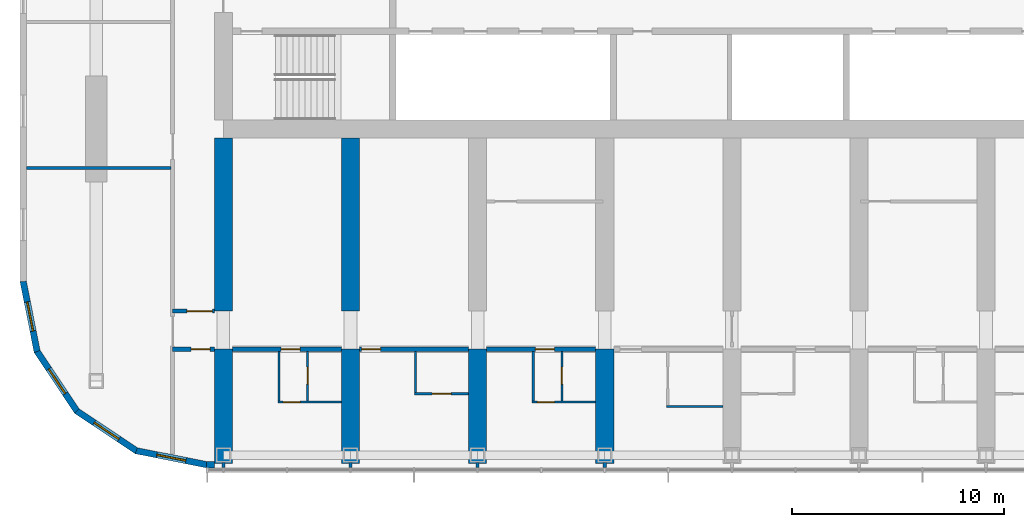
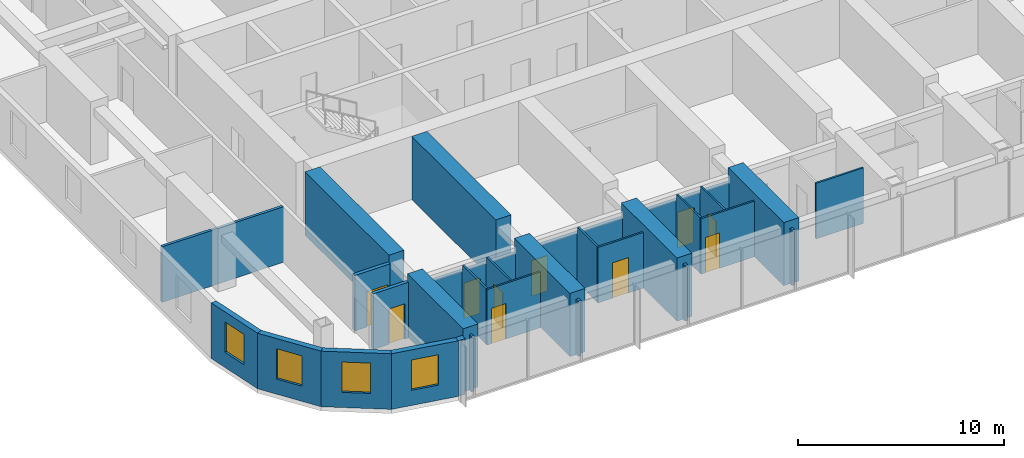
# One storey, part 10 of 22: 30 walls, 10 doors, 4 windows, 14 openings.
"""IFC4 building model written with IfcOpenShell, lengths in metres."""

from ifc_helpers import new_model, si_unit, direction, frame, frame_2d, origin, place, context, subcontext, project, spatial, polyline, rectangle, outline, extrude, material, layer, layer_set, type_object, element, fill, save


model = new_model("IFC4")

# Units and contexts
model_context = context("Model", 3, precision=1e-05, world=origin(), true_north=direction((0.0, 1.0)))
body_context = subcontext(model_context, "Body", "Model", "MODEL_VIEW")
ifc_project = project(units=[si_unit("LENGTHUNIT", "METRE"), si_unit("AREAUNIT", "SQUARE_METRE"), si_unit("VOLUMEUNIT", "CUBIC_METRE"), si_unit("PLANEANGLEUNIT", "RADIAN"), si_unit("MASSUNIT", "GRAM", prefix="KILO")], contexts=[model_context])

# Site, building, storey
site_placement = place(None, origin())
site = spatial("IfcSite", under=ifc_project, at=site_placement, CompositionType="ELEMENT")
building_placement = place(site_placement, origin())
building = spatial("IfcBuilding", under=site, at=building_placement, Name="Orbita Commons", CompositionType="ELEMENT")
storey_placement = place(building_placement, frame((0.0, 0.0, 159.85009765625)))
storey = spatial("IfcBuildingStorey", under=building, at=storey_placement, Name="L39", CompositionType="ELEMENT", Elevation=159.85009765625)

# Wall, opening, door
ifc_material_1 = material(Name="Concrete blockwork", Category="masonry")
ifc_layer_1 = layer(ifc_material_1, 0.199951171875)
ifc_layer_set_1 = layer_set([ifc_layer_1], Name="Concrete blockwork")
wall_type_1 = type_object("IfcWallType", Name="Corridor wall 200 blockwork", PredefinedType="SOLIDWALL", material=ifc_layer_set_1)
wall_1_placement = place(storey_placement, frame((15.60009765625, 15.39990234375, 0.0), z_axis=(0.0, 0.0, 1.0), x_axis=(1.0, 0.0, 0.0)))
wall_1 = element("IfcWall", 1, at=wall_1_placement, inside=storey, type_object=wall_type_1, Name="Corridor wall 200 blockwork L39", PredefinedType="SOLIDWALL", context=body_context, shape_type="SweptSolid", body=[
    extrude(rectangle(XDim=1.974853515625, YDim=0.199951171875, at=frame_2d((0.9873046875, 0.0))), origin(), (0.0, 0.0, 1.0), 3.2998046875),
])
opening_1_placement = place(wall_1_placement, frame((0.875, 0.0, 0.0)))
opening_1 = element("IfcOpeningElement", 2, at=opening_1_placement, cuts=wall_1, Name="Opening D05", PredefinedType="OPENING", context=body_context, shape_type="SweptSolid", body=[
    extrude(rectangle(XDim=0.89990234375, YDim=2.10009765625, at=frame_2d((0.449951171875, 1.050048828125))), frame((0.0, 0.10986328125, 0.0), z_axis=(0.0, -1.0, 0.0), x_axis=(1.0, 0.0, 0.0)), (0.0, 0.0, 1.0), 0.219970703125),
])
ifc_material_2 = material(Name="Steel-faced fire door leaf", Category="steel")
door_type_1 = type_object("IfcDoorType", Name="Service door 20 min 900x2100", OperationType="SINGLE_SWING_LEFT", PredefinedType="DOOR", material=ifc_material_2)
door_1_placement = place(opening_1_placement, origin())
door_1 = element("IfcDoor", 3, at=door_1_placement, inside=storey, type_object=door_type_1, Name="Linen store L39-KWS door", OperationType="SINGLE_SWING_LEFT", OverallHeight=2.10009765625, OverallWidth=0.89990234375, PredefinedType="DOOR", context=body_context, shape_type="SweptSolid", body=[
    extrude(rectangle(XDim=0.89990234375, YDim=2.10009765625, at=frame_2d((0.449951171875, 1.050048828125))), frame((0.0, 0.02490234375, 0.0), z_axis=(0.0, -1.0, 0.0), x_axis=(1.0, 0.0, 0.0)), (0.0, 0.0, 1.0), 0.050048828125),
])
fill(opening_1, door_1)

wall_2_placement = place(storey_placement, frame((18.425048828125, 15.39990234375, 0.0), z_axis=(0.0, 0.0, 1.0), x_axis=(1.0, 0.0, 0.0)))
wall_2 = element("IfcWall", 4, at=wall_2_placement, inside=storey, type_object=wall_type_1, Name="Corridor wall 200 blockwork L39", PredefinedType="SOLIDWALL", context=body_context, shape_type="SweptSolid", body=[
    extrude(outline(polyline([(0.0, 0.0), (5.14990234375, 0.0), (5.14990234375, 2.89990234375), (0.0, 2.89990234375), (0.0, 0.0)])), frame((0.0, 0.10009765625, 0.0), z_axis=(0.0, -1.0, 0.0), x_axis=(1.0, 0.0, 0.0)), (0.0, 0.0, 1.0), 0.199951171875),
])
opening_2_placement = place(wall_2_placement, frame((2.300048828125, 0.0, 0.0)))
opening_2 = element("IfcOpeningElement", 5, at=opening_2_placement, cuts=wall_2, Name="Opening D11", PredefinedType="OPENING", context=body_context, shape_type="SweptSolid", body=[
    extrude(rectangle(XDim=0.89990234375, YDim=2.10009765625, at=frame_2d((0.449951171875, 1.050048828125))), frame((0.0, 0.10986328125, 0.0), z_axis=(0.0, -1.0, 0.0), x_axis=(1.0, 0.0, 0.0)), (0.0, 0.0, 1.0), 0.219970703125),
])
ifc_material_3 = material(Name="Steel-faced fire door leaf", Category="steel")
door_type_2 = type_object("IfcDoorType", Name="Corridor door 20 min 900x2100", OperationType="SINGLE_SWING_LEFT", PredefinedType="DOOR", material=ifc_material_3)
door_2_placement = place(opening_2_placement, origin())
door_2 = element("IfcDoor", 6, at=door_2_placement, inside=storey, type_object=door_type_2, Name="Studio flat L39-S00 entrance door", OperationType="SINGLE_SWING_LEFT", OverallHeight=2.10009765625, OverallWidth=0.89990234375, PredefinedType="DOOR", context=body_context, shape_type="SweptSolid", body=[
    extrude(rectangle(XDim=0.89990234375, YDim=2.10009765625, at=frame_2d((0.449951171875, 1.050048828125))), frame((0.0, 0.02490234375, 0.0), z_axis=(0.0, -1.0, 0.0), x_axis=(1.0, 0.0, 0.0)), (0.0, 0.0, 1.0), 0.050048828125),
])
fill(opening_2, door_2)

wall_3_placement = place(storey_placement, frame((24.425048828125, 15.39990234375, 0.0), z_axis=(0.0, 0.0, 1.0), x_axis=(1.0, 0.0, 0.0)))
wall_3 = element("IfcWall", 7, at=wall_3_placement, inside=storey, type_object=wall_type_1, Name="Corridor wall 200 blockwork L39", PredefinedType="SOLIDWALL", context=body_context, shape_type="SweptSolid", body=[
    extrude(outline(polyline([(0.0, 0.0), (5.14990234375, 0.0), (5.14990234375, 2.89990234375), (0.0, 2.89990234375), (0.0, 0.0)])), frame((0.0, 0.10009765625, 0.0), z_axis=(0.0, -1.0, 0.0), x_axis=(1.0, 0.0, 0.0)), (0.0, 0.0, 1.0), 0.199951171875),
])
opening_3_placement = place(wall_3_placement, frame((0.10009765625, 0.0, 0.0)))
opening_3 = element("IfcOpeningElement", 8, at=opening_3_placement, cuts=wall_3, Name="Opening D11", PredefinedType="OPENING", context=body_context, shape_type="SweptSolid", body=[
    extrude(rectangle(XDim=0.89990234375, YDim=2.10009765625, at=frame_2d((0.449951171875, 1.050048828125))), frame((0.0, 0.10986328125, 0.0), z_axis=(0.0, -1.0, 0.0), x_axis=(1.0, 0.0, 0.0)), (0.0, 0.0, 1.0), 0.219970703125),
])
door_3_placement = place(opening_3_placement, origin())
door_3 = element("IfcDoor", 9, at=door_3_placement, inside=storey, type_object=door_type_2, Name="Twin room L39-S02 door", OperationType="SINGLE_SWING_LEFT", OverallHeight=2.10009765625, OverallWidth=0.89990234375, PredefinedType="DOOR", context=body_context, shape_type="SweptSolid", body=[
    extrude(rectangle(XDim=0.89990234375, YDim=2.10009765625, at=frame_2d((0.449951171875, 1.050048828125))), frame((0.0, 0.02490234375, 0.0), z_axis=(0.0, -1.0, 0.0), x_axis=(1.0, 0.0, 0.0)), (0.0, 0.0, 1.0), 0.050048828125),
])
fill(opening_3, door_3)

wall_4_placement = place(storey_placement, frame((30.425048828125, 15.39990234375, 0.0), z_axis=(0.0, 0.0, 1.0), x_axis=(1.0, 0.0, 0.0)))
wall_4 = element("IfcWall", 10, at=wall_4_placement, inside=storey, type_object=wall_type_1, Name="Corridor wall 200 blockwork L39", PredefinedType="SOLIDWALL", context=body_context, shape_type="SweptSolid", body=[
    extrude(outline(polyline([(0.0, 0.0), (5.14990234375, 0.0), (5.14990234375, 2.89990234375), (0.0, 2.89990234375), (0.0, 0.0)])), frame((0.0, 0.10009765625, 0.0), z_axis=(0.0, -1.0, 0.0), x_axis=(1.0, 0.0, 0.0)), (0.0, 0.0, 1.0), 0.199951171875),
])
opening_4_placement = place(wall_4_placement, frame((2.300048828125, 0.0, 0.0)))
opening_4 = element("IfcOpeningElement", 11, at=opening_4_placement, cuts=wall_4, Name="Opening D11", PredefinedType="OPENING", context=body_context, shape_type="SweptSolid", body=[
    extrude(rectangle(XDim=0.89990234375, YDim=2.10009765625, at=frame_2d((0.449951171875, 1.050048828125))), frame((0.0, 0.10986328125, 0.0), z_axis=(0.0, -1.0, 0.0), x_axis=(1.0, 0.0, 0.0)), (0.0, 0.0, 1.0), 0.219970703125),
])
door_4_placement = place(opening_4_placement, origin())
door_4 = element("IfcDoor", 12, at=door_4_placement, inside=storey, type_object=door_type_2, Name="Studio flat L39-S04 entrance door", OperationType="SINGLE_SWING_LEFT", OverallHeight=2.10009765625, OverallWidth=0.89990234375, PredefinedType="DOOR", context=body_context, shape_type="SweptSolid", body=[
    extrude(rectangle(XDim=0.89990234375, YDim=2.10009765625, at=frame_2d((0.449951171875, 1.050048828125))), frame((0.0, 0.02490234375, 0.0), z_axis=(0.0, -1.0, 0.0), x_axis=(1.0, 0.0, 0.0)), (0.0, 0.0, 1.0), 0.050048828125),
])
fill(opening_4, door_4)

ifc_material_4 = material(Name="Hollow concrete block 200", Category="concrete")
ifc_layer_2 = layer(ifc_material_4, 0.199951171875)
ifc_layer_set_2 = layer_set([ifc_layer_2], Name="Hollow concrete block 200")
wall_type_2 = type_object("IfcWallType", Name="Corridor wall 200 hollow concrete block", PredefinedType="SOLIDWALL", material=ifc_layer_set_2)
wall_5_placement = place(storey_placement, frame((15.60009765625, 17.199951171875, 0.0), z_axis=(0.0, 0.0, 1.0), x_axis=(1.0, 0.0, 0.0)))
wall_5 = element("IfcWall", 13, at=wall_5_placement, inside=storey, type_object=wall_type_2, Name="Corridor wall 200 hollow concrete block L39", PredefinedType="SOLIDWALL", context=body_context, shape_type="SweptSolid", body=[
    extrude(rectangle(XDim=1.974853515625, YDim=0.199951171875, at=frame_2d((0.9873046875, 0.0))), origin(), (0.0, 0.0, 1.0), 3.2998046875),
])
opening_5_placement = place(wall_5_placement, frame((0.675048828125, 0.0, 0.0)))
opening_5 = element("IfcOpeningElement", 14, at=opening_5_placement, cuts=wall_5, Name="Opening D12", PredefinedType="OPENING", context=body_context, shape_type="SweptSolid", body=[
    extrude(rectangle(XDim=1.199951171875, YDim=2.10009765625, at=frame_2d((0.60009765625, 1.050048828125))), frame((0.0, 0.10986328125, 0.0), z_axis=(0.0, -1.0, 0.0), x_axis=(1.0, 0.0, 0.0)), (0.0, 0.0, 1.0), 0.219970703125),
])
ifc_material_5 = material(Name="Steel-faced fire door leaf", Category="steel")
door_type_3 = type_object("IfcDoorType", Name="Double corridor door 20 min 1200x2100", OperationType="DOUBLE_DOOR_SINGLE_SWING", PredefinedType="DOOR", material=ifc_material_5)
door_5_placement = place(opening_5_placement, origin())
door_5 = element("IfcDoor", 15, at=door_5_placement, inside=storey, type_object=door_type_3, Name="Cross corridor doors", OperationType="DOUBLE_DOOR_SINGLE_SWING", OverallHeight=2.10009765625, OverallWidth=1.199951171875, PredefinedType="DOOR", context=body_context, shape_type="SweptSolid", body=[
    extrude(rectangle(XDim=1.199951171875, YDim=2.10009765625, at=frame_2d((0.60009765625, 1.050048828125))), frame((0.0, 0.02490234375, 0.0), z_axis=(0.0, -1.0, 0.0), x_axis=(1.0, 0.0, 0.0)), (0.0, 0.0, 1.0), 0.050048828125),
])
fill(opening_5, door_5)

# Walls
ifc_material_6 = material(Name="Concrete C50/60", Category="concrete")
ifc_layer_3 = layer(ifc_material_6, 0.85009765625)
ifc_layer_set_3 = layer_set([ifc_layer_3], Name="Concrete C50/60")
wall_type_3 = type_object("IfcWallType", Name="Cross wall 850 C50/60", PredefinedType="SHEAR", material=ifc_layer_set_3)
wall_6_placement = place(storey_placement, frame((18.0, 10.0, 0.0), z_axis=(0.0, 0.0, 1.0), x_axis=(0.0, 1.0, 0.0)))
element("IfcWall", 16, at=wall_6_placement, inside=storey, type_object=wall_type_3, Name="Cross wall 4 south outer L39", PredefinedType="SHEAR", context=body_context, shape_type="SweptSolid", body=[
    extrude(rectangle(XDim=5.39990234375, YDim=0.85009765625, at=frame_2d((2.699951171875, 0.0))), origin(), (0.0, 0.0, 1.0), 3.75),
])
wall_7_placement = place(storey_placement, frame((18.0, 17.199951171875, 0.0), z_axis=(0.0, 0.0, 1.0), x_axis=(0.0, 1.0, 0.0)))
element("IfcWall", 17, at=wall_7_placement, inside=storey, type_object=wall_type_3, Name="Cross wall 4 south inner L39", PredefinedType="SHEAR", context=body_context, shape_type="SweptSolid", body=[
    extrude(rectangle(XDim=8.175048828125, YDim=0.85009765625, at=frame_2d((4.08740234375, 0.0))), origin(), (0.0, 0.0, 1.0), 3.75),
])
wall_8_placement = place(storey_placement, frame((24.0, 10.0, 0.0), z_axis=(0.0, 0.0, 1.0), x_axis=(0.0, 1.0, 0.0)))
element("IfcWall", 18, at=wall_8_placement, inside=storey, type_object=wall_type_3, Name="Cross wall 5 south outer L39", PredefinedType="SHEAR", context=body_context, shape_type="SweptSolid", body=[
    extrude(rectangle(XDim=5.39990234375, YDim=0.85009765625, at=frame_2d((2.699951171875, 0.0))), origin(), (0.0, 0.0, 1.0), 3.75),
])
wall_9_placement = place(storey_placement, frame((24.0, 17.199951171875, 0.0), z_axis=(0.0, 0.0, 1.0), x_axis=(0.0, 1.0, 0.0)))
element("IfcWall", 19, at=wall_9_placement, inside=storey, type_object=wall_type_3, Name="Cross wall 5 south inner L39", PredefinedType="SHEAR", context=body_context, shape_type="SweptSolid", body=[
    extrude(rectangle(XDim=8.175048828125, YDim=0.85009765625, at=frame_2d((4.08740234375, 0.0))), origin(), (0.0, 0.0, 1.0), 3.75),
])
for number, where, z_axis, x_axis, name in (
    (20, (30.0, 10.0, 0.0), (0.0, 0.0, 1.0), (0.0, 1.0, 0.0), "Cross wall 6 south outer L39"),
    (21, (36.0, 10.0, 0.0), (0.0, 0.0, 1.0), (0.0, 1.0, 0.0), "Cross wall 7 south outer L39"),
):
    element("IfcWall", number, at=place(storey_placement, frame(where, z_axis=z_axis, x_axis=x_axis)), inside=storey, type_object=wall_type_3, Name=name, PredefinedType="SHEAR", context=body_context, shape_type="SweptSolid", body=[
        extrude(rectangle(XDim=5.39990234375, YDim=0.85009765625, at=frame_2d((2.699951171875, 0.0))), origin(), (0.0, 0.0, 1.0), 3.75),
    ])

# Wall, opening, door
ifc_material_7 = material(Name="Moisture-resistant plasterboard on steel studs", Category="steel")
ifc_layer_4 = layer(ifc_material_7, 0.10009765625)
ifc_layer_set_4 = layer_set([ifc_layer_4], Name="Moisture-resistant plasterboard on steel studs")
wall_type_4 = type_object("IfcWallType", Name="En-suite partition 100", PredefinedType="PARTITIONING", material=ifc_layer_set_4)
wall_10_placement = place(storey_placement, frame((23.574951171875, 12.89990234375, 0.0), z_axis=(0.0, 0.0, 1.0), x_axis=(-1.0, 0.0, 0.0)))
wall_10 = element("IfcWall", 22, at=wall_10_placement, inside=storey, type_object=wall_type_4, Name="En-suite partition 100 L39", PredefinedType="PARTITIONING", context=body_context, shape_type="SweptSolid", body=[
    extrude(rectangle(XDim=3.0, YDim=0.10009765625, at=frame_2d((1.5, 0.0))), origin(), (0.0, 0.0, 1.0), 3.2998046875),
])
opening_6_placement = place(wall_10_placement, frame((1.949951171875, 0.0, 0.0)))
opening_6 = element("IfcOpeningElement", 23, at=opening_6_placement, cuts=wall_10, Name="Opening D16", PredefinedType="OPENING", context=body_context, shape_type="SweptSolid", body=[
    extrude(rectangle(XDim=0.800048828125, YDim=2.10009765625, at=frame_2d((0.39990234375, 1.050048828125))), frame((0.0, 0.06005859375, 0.0), z_axis=(0.0, -1.0, 0.0), x_axis=(1.0, 0.0, 0.0)), (0.0, 0.0, 1.0), 0.1201171875),
])
ifc_material_8 = material(Name="Laminated timber door leaf", Category="wood")
door_type_4 = type_object("IfcDoorType", Name="En-suite door 800x2100", OperationType="SINGLE_SWING_RIGHT", PredefinedType="DOOR", material=ifc_material_8)
door_6_placement = place(opening_6_placement, origin())
door_6 = element("IfcDoor", 24, at=door_6_placement, inside=storey, type_object=door_type_4, Name="Studio flat L39-S00 door", OperationType="SINGLE_SWING_RIGHT", OverallHeight=2.10009765625, OverallWidth=0.800048828125, PredefinedType="DOOR", context=body_context, shape_type="SweptSolid", body=[
    extrude(rectangle(XDim=0.800048828125, YDim=2.10009765625, at=frame_2d((0.39990234375, 1.050048828125))), frame((0.0, 0.02490234375, 0.0), z_axis=(0.0, -1.0, 0.0), x_axis=(1.0, 0.0, 0.0)), (0.0, 0.0, 1.0), 0.050048828125),
])
fill(opening_6, door_6)

# Wall
wall_11_placement = place(storey_placement, frame((20.625, 12.949951171875, 0.0), z_axis=(0.0, 0.0, 1.0), x_axis=(0.0, 1.0, 0.0)))
element("IfcWall", 25, at=wall_11_placement, inside=storey, type_object=wall_type_4, Name="En-suite partition 100 L39", PredefinedType="PARTITIONING", context=body_context, shape_type="SweptSolid", body=[
    extrude(outline(polyline([(0.0, 0.0), (2.35009765625, 0.0), (2.35009765625, 2.89990234375), (2.302001953125, 2.89990234375), (2.300048828125, 3.2998046875), (0.0, 3.2998046875), (0.0, 0.0)])), frame((0.0, 0.050048828125, 0.0), z_axis=(0.0, -1.0, 0.0), x_axis=(1.0, 0.0, 0.0)), (0.0, 0.0, 1.0), 0.10009765625),
])

# Wall, opening, door
wall_12_placement = place(storey_placement, frame((21.97509765625, 12.949951171875, 0.0), z_axis=(0.0, 0.0, 1.0), x_axis=(0.0, 1.0, 0.0)))
wall_12 = element("IfcWall", 26, at=wall_12_placement, inside=storey, type_object=wall_type_4, Name="En-suite partition 100 L39", PredefinedType="PARTITIONING", context=body_context, shape_type="SweptSolid", body=[
    extrude(outline(polyline([(0.0, 0.0), (2.35009765625, 0.0), (2.35009765625, 2.89990234375), (2.302001953125, 2.89990234375), (2.300048828125, 3.2998046875), (0.0, 3.2998046875), (0.0, 0.0)])), frame((0.0, 0.050048828125, 0.0), z_axis=(0.0, -1.0, 0.0), x_axis=(1.0, 0.0, 0.0)), (0.0, 0.0, 1.0), 0.10009765625),
])
opening_7_placement = place(wall_12_placement, frame((0.800048828125, 0.0, 0.0)))
opening_7 = element("IfcOpeningElement", 27, at=opening_7_placement, cuts=wall_12, Name="Opening D16", PredefinedType="OPENING", context=body_context, shape_type="SweptSolid", body=[
    extrude(rectangle(XDim=0.800048828125, YDim=2.10009765625, at=frame_2d((0.39990234375, 1.050048828125))), frame((0.0, 0.06005859375, 0.0), z_axis=(0.0, -1.0, 0.0), x_axis=(1.0, 0.0, 0.0)), (0.0, 0.0, 1.0), 0.1201171875),
])
door_7_placement = place(opening_7_placement, origin())
door_7 = element("IfcDoor", 28, at=door_7_placement, inside=storey, type_object=door_type_4, Name="Studio flat shower room L39-S00 door", OperationType="SINGLE_SWING_RIGHT", OverallHeight=2.10009765625, OverallWidth=0.800048828125, PredefinedType="DOOR", context=body_context, shape_type="SweptSolid", body=[
    extrude(rectangle(XDim=0.800048828125, YDim=2.10009765625, at=frame_2d((0.39990234375, 1.050048828125))), frame((0.0, 0.02490234375, 0.0), z_axis=(0.0, -1.0, 0.0), x_axis=(1.0, 0.0, 0.0)), (0.0, 0.0, 1.0), 0.050048828125),
])
fill(opening_7, door_7)

wall_13_placement = place(storey_placement, frame((29.574951171875, 13.300048828125, 0.0), z_axis=(0.0, 0.0, 1.0), x_axis=(-1.0, 0.0, 0.0)))
wall_13 = element("IfcWall", 29, at=wall_13_placement, inside=storey, type_object=wall_type_4, Name="En-suite partition 100 L39", PredefinedType="PARTITIONING", context=body_context, shape_type="SweptSolid", body=[
    extrude(rectangle(XDim=2.550048828125, YDim=0.10009765625, at=frame_2d((1.27490234375, 0.0))), origin(), (0.0, 0.0, 1.0), 3.2998046875),
])
opening_8_placement = place(wall_13_placement, frame((0.824951171875, 0.0, 0.0)))
opening_8 = element("IfcOpeningElement", 30, at=opening_8_placement, cuts=wall_13, Name="Opening D09", PredefinedType="OPENING", context=body_context, shape_type="SweptSolid", body=[
    extrude(rectangle(XDim=0.89990234375, YDim=2.10009765625, at=frame_2d((0.449951171875, 1.050048828125))), frame((0.0, 0.06005859375, 0.0), z_axis=(0.0, -1.0, 0.0), x_axis=(1.0, 0.0, 0.0)), (0.0, 0.0, 1.0), 0.1201171875),
])
ifc_material_9 = material(Name="Laminated timber door leaf", Category="wood")
door_type_5 = type_object("IfcDoorType", Name="En-suite door 900x2100", OperationType="SINGLE_SWING_RIGHT", PredefinedType="DOOR", material=ifc_material_9)
door_8_placement = place(opening_8_placement, origin())
door_8 = element("IfcDoor", 31, at=door_8_placement, inside=storey, type_object=door_type_5, Name="En-suite L39-S02 door", OperationType="SINGLE_SWING_RIGHT", OverallHeight=2.10009765625, OverallWidth=0.89990234375, PredefinedType="DOOR", context=body_context, shape_type="SweptSolid", body=[
    extrude(rectangle(XDim=0.89990234375, YDim=2.10009765625, at=frame_2d((0.449951171875, 1.050048828125))), frame((0.0, 0.02490234375, 0.0), z_axis=(0.0, -1.0, 0.0), x_axis=(1.0, 0.0, 0.0)), (0.0, 0.0, 1.0), 0.050048828125),
])
fill(opening_8, door_8)

# Wall
wall_14_placement = place(storey_placement, frame((27.074951171875, 13.35009765625, 0.0), z_axis=(0.0, 0.0, 1.0), x_axis=(0.0, 1.0, 0.0)))
element("IfcWall", 32, at=wall_14_placement, inside=storey, type_object=wall_type_4, Name="En-suite partition 100 L39", PredefinedType="PARTITIONING", context=body_context, shape_type="SweptSolid", body=[
    extrude(outline(polyline([(0.0, 0.0), (1.949951171875, 0.0), (1.949951171875, 2.89990234375), (1.902099609375, 2.89990234375), (1.89990234375, 3.2998046875), (0.0, 3.2998046875), (0.0, 0.0)])), frame((0.0, 0.050048828125, 0.0), z_axis=(0.0, -1.0, 0.0), x_axis=(1.0, 0.0, 0.0)), (0.0, 0.0, 1.0), 0.10009765625),
])

# Wall, opening, door
wall_15_placement = place(storey_placement, frame((35.574951171875, 12.89990234375, 0.0), z_axis=(0.0, 0.0, 1.0), x_axis=(-1.0, 0.0, 0.0)))
wall_15 = element("IfcWall", 33, at=wall_15_placement, inside=storey, type_object=wall_type_4, Name="En-suite partition 100 L39", PredefinedType="PARTITIONING", context=body_context, shape_type="SweptSolid", body=[
    extrude(rectangle(XDim=3.0, YDim=0.10009765625, at=frame_2d((1.5, 0.0))), origin(), (0.0, 0.0, 1.0), 3.2998046875),
])
opening_9_placement = place(wall_15_placement, frame((1.949951171875, 0.0, 0.0)))
opening_9 = element("IfcOpeningElement", 34, at=opening_9_placement, cuts=wall_15, Name="Opening D16", PredefinedType="OPENING", context=body_context, shape_type="SweptSolid", body=[
    extrude(rectangle(XDim=0.800048828125, YDim=2.10009765625, at=frame_2d((0.39990234375, 1.050048828125))), frame((0.0, 0.06005859375, 0.0), z_axis=(0.0, -1.0, 0.0), x_axis=(1.0, 0.0, 0.0)), (0.0, 0.0, 1.0), 0.1201171875),
])
door_9_placement = place(opening_9_placement, origin())
door_9 = element("IfcDoor", 35, at=door_9_placement, inside=storey, type_object=door_type_4, Name="Studio flat L39-S04 door", OperationType="SINGLE_SWING_RIGHT", OverallHeight=2.10009765625, OverallWidth=0.800048828125, PredefinedType="DOOR", context=body_context, shape_type="SweptSolid", body=[
    extrude(rectangle(XDim=0.800048828125, YDim=2.10009765625, at=frame_2d((0.39990234375, 1.050048828125))), frame((0.0, 0.02490234375, 0.0), z_axis=(0.0, -1.0, 0.0), x_axis=(1.0, 0.0, 0.0)), (0.0, 0.0, 1.0), 0.050048828125),
])
fill(opening_9, door_9)

# Wall
wall_16_placement = place(storey_placement, frame((32.625, 12.949951171875, 0.0), z_axis=(0.0, 0.0, 1.0), x_axis=(0.0, 1.0, 0.0)))
element("IfcWall", 36, at=wall_16_placement, inside=storey, type_object=wall_type_4, Name="En-suite partition 100 L39", PredefinedType="PARTITIONING", context=body_context, shape_type="SweptSolid", body=[
    extrude(outline(polyline([(0.0, 0.0), (2.35009765625, 0.0), (2.35009765625, 2.89990234375), (2.302001953125, 2.89990234375), (2.300048828125, 3.2998046875), (0.0, 3.2998046875), (0.0, 0.0)])), frame((0.0, 0.050048828125, 0.0), z_axis=(0.0, -1.0, 0.0), x_axis=(1.0, 0.0, 0.0)), (0.0, 0.0, 1.0), 0.10009765625),
])

# Wall, opening, door
wall_17_placement = place(storey_placement, frame((33.97509765625, 12.949951171875, 0.0), z_axis=(0.0, 0.0, 1.0), x_axis=(0.0, 1.0, 0.0)))
wall_17 = element("IfcWall", 37, at=wall_17_placement, inside=storey, type_object=wall_type_4, Name="En-suite partition 100 L39", PredefinedType="PARTITIONING", context=body_context, shape_type="SweptSolid", body=[
    extrude(outline(polyline([(0.0, 0.0), (2.35009765625, 0.0), (2.35009765625, 2.89990234375), (2.302001953125, 2.89990234375), (2.300048828125, 3.2998046875), (0.0, 3.2998046875), (0.0, 0.0)])), frame((0.0, 0.050048828125, 0.0), z_axis=(0.0, -1.0, 0.0), x_axis=(1.0, 0.0, 0.0)), (0.0, 0.0, 1.0), 0.10009765625),
])
opening_10_placement = place(wall_17_placement, frame((0.800048828125, 0.0, 0.0)))
opening_10 = element("IfcOpeningElement", 38, at=opening_10_placement, cuts=wall_17, Name="Opening D16", PredefinedType="OPENING", context=body_context, shape_type="SweptSolid", body=[
    extrude(rectangle(XDim=0.800048828125, YDim=2.10009765625, at=frame_2d((0.39990234375, 1.050048828125))), frame((0.0, 0.06005859375, 0.0), z_axis=(0.0, -1.0, 0.0), x_axis=(1.0, 0.0, 0.0)), (0.0, 0.0, 1.0), 0.1201171875),
])
door_10_placement = place(opening_10_placement, origin())
door_10 = element("IfcDoor", 39, at=door_10_placement, inside=storey, type_object=door_type_4, Name="Studio flat shower room L39-S04 door", OperationType="SINGLE_SWING_RIGHT", OverallHeight=2.10009765625, OverallWidth=0.800048828125, PredefinedType="DOOR", context=body_context, shape_type="SweptSolid", body=[
    extrude(rectangle(XDim=0.800048828125, YDim=2.10009765625, at=frame_2d((0.39990234375, 1.050048828125))), frame((0.0, 0.02490234375, 0.0), z_axis=(0.0, -1.0, 0.0), x_axis=(1.0, 0.0, 0.0)), (0.0, 0.0, 1.0), 0.050048828125),
])
fill(opening_10, door_10)

# Walls
wall_18_placement = place(storey_placement, frame((38.925048828125, 12.699951171875, 0.0), z_axis=(0.0, 0.0, 1.0), x_axis=(1.0, 0.0, 0.0)))
element("IfcWall", 40, at=wall_18_placement, inside=storey, type_object=wall_type_4, Name="En-suite partition 100 L39", PredefinedType="PARTITIONING", context=body_context, shape_type="SweptSolid", body=[
    extrude(rectangle(XDim=2.64990234375, YDim=0.10009765625, at=frame_2d((1.324951171875, 0.0))), origin(), (0.0, 0.0, 1.0), 3.2998046875),
])
ifc_material_10 = material(Name="Gypsum plasterboard on steel studs", Category="steel")
ifc_layer_5 = layer(ifc_material_10, 0.14990234375)
ifc_layer_set_5 = layer_set([ifc_layer_5], Name="Gypsum plasterboard on steel studs")
wall_type_5 = type_object("IfcWallType", Name="Partition 150 plasterboard", PredefinedType="PARTITIONING", material=ifc_layer_set_5)
wall_19_placement = place(storey_placement, frame((8.705078125, 23.9599609375, 0.0), z_axis=(0.0, 0.0, 1.0), x_axis=(1.0, 0.0, 0.0)))
element("IfcWall", 41, at=wall_19_placement, inside=storey, type_object=wall_type_5, Name="Partition 150 plasterboard L39", PredefinedType="PARTITIONING", context=body_context, shape_type="SweptSolid", body=[
    extrude(rectangle(XDim=6.81982421875, YDim=0.14990234375, at=frame_2d((3.409912109375, 0.0))), origin(), (0.0, 0.0, 1.0), 3.2998046875),
])
for number, where, z_axis, x_axis, name in (
    (42, (18.0, 10.050048828125, 0.0), (0.0, 0.0, 1.0), (0.0, -1.0, 0.0), "Partition 150 plasterboard L39"),
    (43, (24.0, 10.050048828125, 0.0), (0.0, 0.0, 1.0), (0.0, -1.0, 0.0), "Partition 150 plasterboard L39"),
    (44, (30.0, 10.050048828125, 0.0), (0.0, 0.0, 1.0), (0.0, -1.0, 0.0), "Partition 150 plasterboard L39"),
    (45, (36.0, 10.050048828125, 0.0), (0.0, 0.0, 1.0), (0.0, -1.0, 0.0), "Partition 150 plasterboard L39"),
):
    element("IfcWall", number, at=place(storey_placement, frame(where, z_axis=z_axis, x_axis=x_axis)), inside=storey, type_object=wall_type_5, Name=name, PredefinedType="PARTITIONING", context=body_context, shape_type="SweptSolid", body=[
        extrude(rectangle(XDim=0.239990234375, YDim=0.14990234375, at=frame_2d((0.1201171875, 0.0))), origin(), (0.0, 0.0, 1.0), 3.2998046875),
    ])

# Wall, opening, window
ifc_material_11 = material(Name="Precast concrete C40/50, white board-marked finish", Category="concrete")
ifc_layer_6 = layer(ifc_material_11, 0.300048828125)
ifc_layer_set_6 = layer_set([ifc_layer_6], Name="Precast concrete C40/50, white board-marked finish")
wall_type_6 = type_object("IfcWallType", Name="Precast concrete end shield 300", PredefinedType="SOLIDWALL", material=ifc_layer_set_6)
wall_20_placement = place(storey_placement, frame((8.550048828125, 18.60009765625, 0.0), z_axis=(0.0, 0.0, 1.0), x_axis=(0.19508664885, -0.980786011034, 0.0)))
wall_20 = element("IfcWall", 46, at=wall_20_placement, inside=storey, type_object=wall_type_6, Name="End shield SW chord 1 L39", PredefinedType="SOLIDWALL", context=body_context, shape_type="SweptSolid", body=[
    extrude(outline(polyline([(-0.014892578125, -0.14990234375), (3.405029296875, -0.14990234375), (3.345458984375, 0.14990234375), (0.014892578125, 0.14990234375), (-0.014892578125, -0.14990234375)])), origin(), (0.0, 0.0, 1.0), 3.2998046875),
])
opening_11_placement = place(wall_20_placement, frame((0.987548828125, 0.0, 0.89990234375)))
opening_11 = element("IfcOpeningElement", 47, at=opening_11_placement, cuts=wall_20, Name="Opening W02", PredefinedType="OPENING", context=body_context, shape_type="SweptSolid", body=[
    extrude(rectangle(XDim=1.39990234375, YDim=1.800048828125, at=frame_2d((0.699951171875, 0.89990234375))), frame((0.0, 0.159912109375, 0.0), z_axis=(0.0, -1.0, 0.0), x_axis=(1.0, 0.0, 0.0)), (0.0, 0.0, 1.0), 0.320068359375),
])
ifc_material_12 = material(Name="Aluminium frame, clear double glazing", Category="aluminium")
window_type = type_object("IfcWindowType", Name="Deep-set window 1400x1800", PartitioningType="SINGLE_PANEL", PredefinedType="WINDOW", material=ifc_material_12)
window_1_placement = place(opening_11_placement, origin())
window_1 = element("IfcWindow", 48, at=window_1_placement, inside=storey, type_object=window_type, Name="Window L39-SW0", OverallHeight=1.800048828125, OverallWidth=1.39990234375, PartitioningType="SINGLE_PANEL", PredefinedType="WINDOW", context=body_context, shape_type="SweptSolid", body=[
    extrude(rectangle(XDim=1.39990234375, YDim=1.800048828125, at=frame_2d((0.699951171875, 0.89990234375))), frame((0.0, 0.030029296875, 0.0), z_axis=(0.0, -1.0, 0.0), x_axis=(1.0, 0.0, 0.0)), (0.0, 0.0, 1.0), 0.06005859375),
])
fill(opening_11, window_1)

wall_21_placement = place(storey_placement, frame((9.20849609375, 15.289794921875, 0.0), z_axis=(0.0, 0.0, 1.0), x_axis=(0.555534554399, -0.831493450887, 0.0)))
wall_21 = element("IfcWall", 49, at=wall_21_placement, inside=storey, type_object=wall_type_6, Name="End shield SW chord 2 L39", PredefinedType="SOLIDWALL", context=body_context, shape_type="SweptSolid", body=[
    extrude(outline(polyline([(-0.02978515625, -0.14990234375), (3.405029296875, -0.14990234375), (3.345458984375, 0.14990234375), (0.02978515625, 0.14990234375), (-0.02978515625, -0.14990234375)])), origin(), (0.0, 0.0, 1.0), 3.2998046875),
])
opening_12_placement = place(wall_21_placement, frame((0.987548828125, 0.0, 0.89990234375)))
opening_12 = element("IfcOpeningElement", 50, at=opening_12_placement, cuts=wall_21, Name="Opening W02", PredefinedType="OPENING", context=body_context, shape_type="SweptSolid", body=[
    extrude(rectangle(XDim=1.39990234375, YDim=1.800048828125, at=frame_2d((0.699951171875, 0.89990234375))), frame((0.0, 0.159912109375, 0.0), z_axis=(0.0, -1.0, 0.0), x_axis=(1.0, 0.0, 0.0)), (0.0, 0.0, 1.0), 0.320068359375),
])
window_2_placement = place(opening_12_placement, origin())
window_2 = element("IfcWindow", 51, at=window_2_placement, inside=storey, type_object=window_type, Name="Window L39-SW1", OverallHeight=1.800048828125, OverallWidth=1.39990234375, PartitioningType="SINGLE_PANEL", PredefinedType="WINDOW", context=body_context, shape_type="SweptSolid", body=[
    extrude(rectangle(XDim=1.39990234375, YDim=1.800048828125, at=frame_2d((0.699951171875, 0.89990234375))), frame((0.0, 0.030029296875, 0.0), z_axis=(0.0, -1.0, 0.0), x_axis=(1.0, 0.0, 0.0)), (0.0, 0.0, 1.0), 0.06005859375),
])
fill(opening_12, window_2)

wall_22_placement = place(storey_placement, frame((11.08349609375, 12.4833984375, 0.0), z_axis=(0.0, 0.0, 1.0), x_axis=(0.831493450887, -0.555534554399, 0.0)))
wall_22 = element("IfcWall", 52, at=wall_22_placement, inside=storey, type_object=wall_type_6, Name="End shield SW chord 3 L39", PredefinedType="SOLIDWALL", context=body_context, shape_type="SweptSolid", body=[
    extrude(outline(polyline([(-0.02978515625, -0.14990234375), (3.405029296875, -0.14990234375), (3.345458984375, 0.14990234375), (0.02978515625, 0.14990234375), (-0.02978515625, -0.14990234375)])), origin(), (0.0, 0.0, 1.0), 3.2998046875),
])
opening_13_placement = place(wall_22_placement, frame((0.987548828125, 0.0, 0.89990234375)))
opening_13 = element("IfcOpeningElement", 53, at=opening_13_placement, cuts=wall_22, Name="Opening W02", PredefinedType="OPENING", context=body_context, shape_type="SweptSolid", body=[
    extrude(rectangle(XDim=1.39990234375, YDim=1.800048828125, at=frame_2d((0.699951171875, 0.89990234375))), frame((0.0, 0.159912109375, 0.0), z_axis=(0.0, -1.0, 0.0), x_axis=(1.0, 0.0, 0.0)), (0.0, 0.0, 1.0), 0.320068359375),
])
window_3_placement = place(opening_13_placement, origin())
window_3 = element("IfcWindow", 54, at=window_3_placement, inside=storey, type_object=window_type, Name="Window L39-SW2", OverallHeight=1.800048828125, OverallWidth=1.39990234375, PartitioningType="SINGLE_PANEL", PredefinedType="WINDOW", context=body_context, shape_type="SweptSolid", body=[
    extrude(rectangle(XDim=1.39990234375, YDim=1.800048828125, at=frame_2d((0.699951171875, 0.89990234375))), frame((0.0, 0.030029296875, 0.0), z_axis=(0.0, -1.0, 0.0), x_axis=(1.0, 0.0, 0.0)), (0.0, 0.0, 1.0), 0.06005859375),
])
fill(opening_13, window_3)

wall_23_placement = place(storey_placement, frame((13.889892578125, 10.6083984375, 0.0), z_axis=(0.0, 0.0, 1.0), x_axis=(0.98078325777, -0.195100490205, 0.0)))
wall_23 = element("IfcWall", 55, at=wall_23_placement, inside=storey, type_object=wall_type_6, Name="End shield SW chord 4 L39", PredefinedType="SOLIDWALL", context=body_context, shape_type="SweptSolid", body=[
    extrude(outline(polyline([(-0.02978515625, -0.14990234375), (3.40478515625, -0.14990234375), (3.34521484375, 0.14990234375), (0.02978515625, 0.14990234375), (-0.02978515625, -0.14990234375)])), origin(), (0.0, 0.0, 1.0), 3.2998046875),
])
opening_14_placement = place(wall_23_placement, frame((0.987548828125, 0.0, 0.89990234375)))
opening_14 = element("IfcOpeningElement", 56, at=opening_14_placement, cuts=wall_23, Name="Opening W02", PredefinedType="OPENING", context=body_context, shape_type="SweptSolid", body=[
    extrude(rectangle(XDim=1.39990234375, YDim=1.800048828125, at=frame_2d((0.699951171875, 0.89990234375))), frame((0.0, 0.159912109375, 0.0), z_axis=(0.0, -1.0, 0.0), x_axis=(1.0, 0.0, 0.0)), (0.0, 0.0, 1.0), 0.320068359375),
])
window_4_placement = place(opening_14_placement, origin())
window_4 = element("IfcWindow", 57, at=window_4_placement, inside=storey, type_object=window_type, Name="Window L39-SW3", OverallHeight=1.800048828125, OverallWidth=1.39990234375, PartitioningType="SINGLE_PANEL", PredefinedType="WINDOW", context=body_context, shape_type="SweptSolid", body=[
    extrude(rectangle(XDim=1.39990234375, YDim=1.800048828125, at=frame_2d((0.699951171875, 0.89990234375))), frame((0.0, 0.030029296875, 0.0), z_axis=(0.0, -1.0, 0.0), x_axis=(1.0, 0.0, 0.0)), (0.0, 0.0, 1.0), 0.06005859375),
])
fill(opening_14, window_4)

# Wall
wall_24_placement = place(storey_placement, frame((17.199951171875, 9.949951171875, 0.0), z_axis=(0.0, 0.0, 1.0), x_axis=(1.0, 0.0, 0.0)))
element("IfcWall", 58, at=wall_24_placement, inside=storey, type_object=wall_type_6, Name="End shield SW closer L39", PredefinedType="SOLIDWALL", context=body_context, shape_type="SweptSolid", body=[
    extrude(rectangle(XDim=0.375, YDim=0.300048828125, at=frame_2d((0.1875, 0.0))), origin(), (0.0, 0.0, 1.0), 3.2998046875),
])

save(model, "model.ifc")
